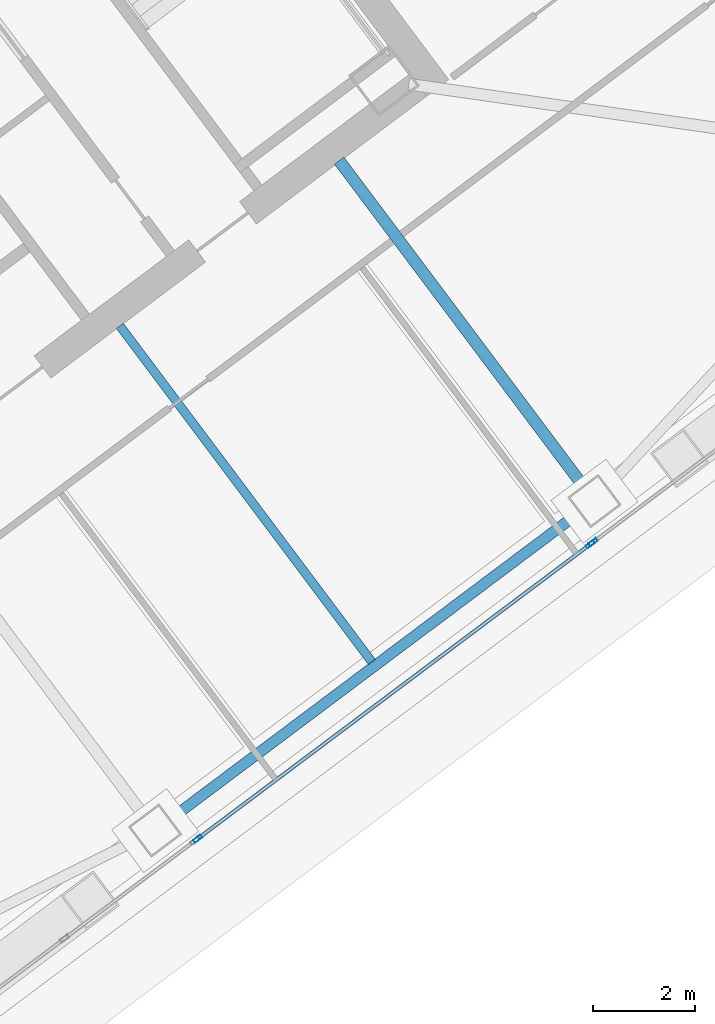
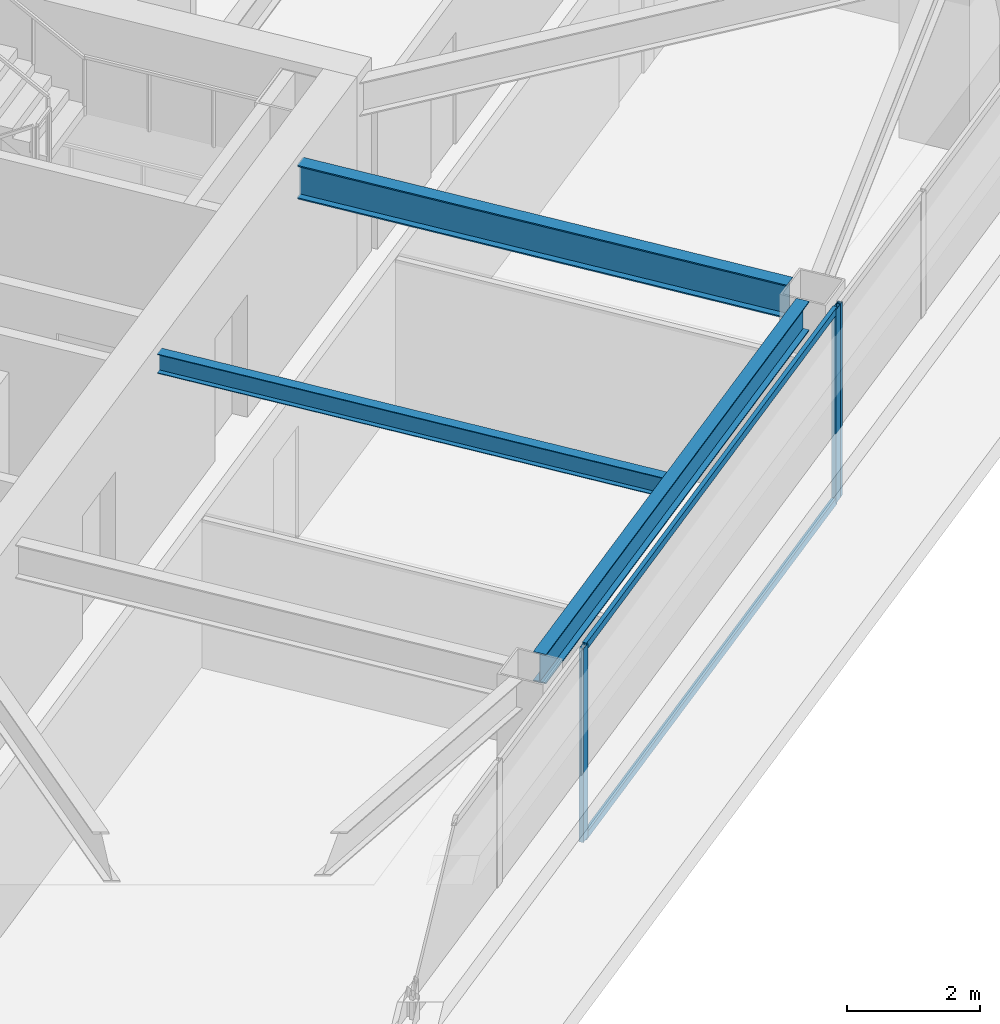
# One storey, part 39 of 65: 5 members, 3 beams, 2 elements without a shape of their own.
"""IFC4 building model written with IfcOpenShell, lengths in metres."""

from ifc_helpers import new_model, si_unit, direction, frame, origin, origin_2d, place, context, subcontext, project, spatial, hollow_rectangle, i_section, extrude, material, material_profile, profile_set, type_object, element, aggregate, save


model = new_model("IFC4")

# Units and contexts
model_context = context("Model", 3, precision=1e-05, world=origin(), true_north=direction((0.0, 1.0)))
body_context = subcontext(model_context, "Body", "Model", "MODEL_VIEW")
ifc_project = project(units=[si_unit("LENGTHUNIT", "METRE"), si_unit("AREAUNIT", "SQUARE_METRE"), si_unit("VOLUMEUNIT", "CUBIC_METRE"), si_unit("PLANEANGLEUNIT", "RADIAN"), si_unit("MASSUNIT", "GRAM", prefix="KILO")], contexts=[model_context])

# Site, building, storey
site_placement = place(None, origin())
site = spatial("IfcSite", under=ifc_project, at=site_placement, CompositionType="ELEMENT")
building_placement = place(site_placement, origin())
building = spatial("IfcBuilding", under=site, at=building_placement, Name="Tashvorn Skyway Center", CompositionType="ELEMENT")
storey_placement = place(building_placement, frame((0.0, 0.0, 157.0)))
storey = spatial("IfcBuildingStorey", under=building, at=storey_placement, Name="L42", CompositionType="ELEMENT", Elevation=157.0)

# Beams
ifc_material_1 = material(Name="Steel ASTM A992 Grade 50", Category="steel")
ifc_material_profile_1 = material_profile(ifc_material_1, i_section(OverallWidth=0.22998046875, OverallDepth=0.616943359375, WebThickness=0.01318359375, FlangeThickness=0.022216796875, at=origin_2d()), Name="W24X94")
ifc_profile_set_1 = profile_set([ifc_material_profile_1], Name="Steel ASTM A992 Grade 50")
beam_type_1 = type_object("IfcBeamType", Name="BM-BEAM-W24X94", PredefinedType="BEAM", material=ifc_profile_set_1)
beam_1_placement = place(storey_placement, frame((127.7880859375, 22.615966796875, 3.0615234375), z_axis=(-0.599995117266, 0.800003662027, 0.0), x_axis=(-0.800003662027, -0.599995117266, 0.0)))
element("IfcBeam", 1, at=beam_1_placement, inside=storey, type_object=beam_type_1, Name="Tower 2 L42 Primary Floor Girder FC-S2", PredefinedType="BEAM", context=body_context, shape_type="SweptSolid", body=[
    extrude(i_section(OverallWidth=0.22998046875, OverallDepth=0.616943359375, WebThickness=0.01318359375, FlangeThickness=0.022216796875, at=origin_2d()), origin(), (0.0, 0.0, 1.0), 8.000244140625),
])
ifc_material_profile_2 = material_profile(ifc_material_1, i_section(OverallWidth=0.1708984375, OverallDepth=0.35498046875, WebThickness=0.007080078125, FlangeThickness=0.01171875, at=origin_2d()), Name="W14X34")
ifc_profile_set_2 = profile_set([ifc_material_profile_2], Name="Steel ASTM A992 Grade 50")
beam_type_2 = type_object("IfcBeamType", Name="BM-JOIST-W14X34", PredefinedType="JOIST", material=ifc_profile_set_2)
beam_2_placement = place(storey_placement, frame((118.674072265625, 25.76806640625, 3.1923828125), z_axis=(0.59999527236, -0.800003545708, 0.0), x_axis=(0.800003545708, 0.59999527236, 0.0)))
element("IfcBeam", 2, at=beam_2_placement, inside=storey, type_object=beam_type_2, Name="Tower 2 L42 Secondary Composite Joist JS", PredefinedType="JOIST", context=body_context, shape_type="SweptSolid", body=[
    extrude(i_section(OverallWidth=0.1708984375, OverallDepth=0.35498046875, WebThickness=0.007080078125, FlangeThickness=0.01171875, at=origin_2d()), origin(), (0.0, 0.0, 1.0), 8.2626953125),
])
ifc_material_profile_3 = material_profile(ifc_material_1, i_section(OverallWidth=0.2109375, OverallDepth=0.5390625, WebThickness=0.01171875, FlangeThickness=0.018798828125, at=origin_2d()), Name="W21X73")
ifc_profile_set_3 = profile_set([ifc_material_profile_3], Name="Steel ASTM A992 Grade 50")
beam_type_3 = type_object("IfcBeamType", Name="BM-SPANDREL-W21X73", PredefinedType="SPANDREL", material=ifc_profile_set_3)
beam_3_placement = place(storey_placement, frame((119.666015625, 16.06201171875, 3.1005859375), z_axis=(0.800008736549, 0.599988351091, 0.0), x_axis=(-0.599988351091, 0.800008736549, 0.0)))
element("IfcBeam", 3, at=beam_3_placement, inside=storey, type_object=beam_type_3, Name="Tower 2 L42 Spandrel Beam 02", PredefinedType="SPANDREL", context=body_context, shape_type="SweptSolid", body=[
    extrude(i_section(OverallWidth=0.2109375, OverallDepth=0.5390625, WebThickness=0.01171875, FlangeThickness=0.018798828125, at=origin_2d()), origin(), (0.0, 0.0, 1.0), 10.06005859375),
])

# Curtain wall, member
ifc_material_2 = material(Name="Thermally broken bronze-anodized aluminium 6063-T6", Category="aluminium")
curtain_wall_type = type_object("IfcCurtainWallType", Name="CW-CW-Z4", PredefinedType="NOTDEFINED", material=ifc_material_2)
curtain_wall_1_placement = place(storey_placement, origin())
curtain_wall_1 = element("IfcCurtainWall", 4, at=curtain_wall_1_placement, inside=storey, type_object=curtain_wall_type, Name="Tower 2 L42 South Unitised Curtain Wall Glazing Group 1", PredefinedType="NOTDEFINED")
ifc_material_profile_4 = material_profile(ifc_material_2, hollow_rectangle(XDim=0.070068359375, YDim=0.179931640625, WallThickness=0.00390625, at=origin_2d()), Name="ALU-MULL-70x180")
ifc_profile_set_4 = profile_set([ifc_material_profile_4], Name="Thermally broken bronze-anodized aluminium 6063-T6")
member_type_1 = type_object("IfcMemberType", Name="CWM-CW-Z4", PredefinedType="MULLION", material=ifc_profile_set_4)
member_1_placement = place(storey_placement, frame((127.98388671875, 21.512939453125, 0.0), z_axis=(0.0, 0.0, 1.0), x_axis=(0.600000000002, -0.799999999998, 0.0)))
member_1 = element("IfcMember", 5, at=member_1_placement, type_object=member_type_1, Name="CW-Z4 mullion 3", PredefinedType="MULLION", context=body_context, shape_type="SweptSolid", body=[
    extrude(hollow_rectangle(XDim=0.070068359375, YDim=0.179931640625, WallThickness=0.00390625, at=origin_2d()), origin(), (0.0, 0.0, 1.0), 3.550048828125),
])
aggregate(curtain_wall_1, [member_1])

# Curtain wall, members
curtain_wall_2_placement = place(storey_placement, origin())
curtain_wall_2 = element("IfcCurtainWall", 6, at=curtain_wall_2_placement, inside=storey, type_object=curtain_wall_type, Name="Tower 2 L42 South Unitised Curtain Wall Glazing Group 2", PredefinedType="NOTDEFINED")
member_2_placement = place(storey_placement, frame((127.927978515625, 21.470947265625, 0.0), z_axis=(0.0, 0.0, 1.0), x_axis=(0.600000000002, -0.799999999998, 0.0)))
member_2 = element("IfcMember", 7, at=member_2_placement, type_object=member_type_1, Name="CW-Z4 mullion 1", PredefinedType="MULLION", context=body_context, shape_type="SweptSolid", body=[
    extrude(hollow_rectangle(XDim=0.070068359375, YDim=0.179931640625, WallThickness=0.00390625, at=origin_2d()), origin(), (0.0, 0.0, 1.0), 3.550048828125),
])
member_3_placement = place(storey_placement, frame((120.2080078125, 15.680908203125, 0.0), z_axis=(0.0, 0.0, 1.0), x_axis=(0.600000000002, -0.799999999998, 0.0)))
member_3 = element("IfcMember", 8, at=member_3_placement, type_object=member_type_1, Name="CW-Z4 mullion 2", PredefinedType="MULLION", context=body_context, shape_type="SweptSolid", body=[
    extrude(hollow_rectangle(XDim=0.070068359375, YDim=0.179931640625, WallThickness=0.00390625, at=origin_2d()), origin(), (0.0, 0.0, 1.0), 3.550048828125),
])
ifc_material_profile_5 = material_profile(ifc_material_2, hollow_rectangle(XDim=0.070068359375, YDim=0.1298828125, WallThickness=0.00390625, at=origin_2d()), Name="ALU-TRAN-70x130")
ifc_profile_set_5 = profile_set([ifc_material_profile_5], Name="Thermally broken bronze-anodized aluminium 6063-T6")
member_type_2 = type_object("IfcMemberType", Name="CWT-CW-Z4", PredefinedType="USERDEFINED", material=ifc_profile_set_5)
member_4_placement = place(storey_placement, frame((127.89990234375, 21.449951171875, 0.034912109375), z_axis=(-0.799990825408, -0.600012232595, 0.0), x_axis=(0.600012232595, -0.799990825408, 0.0)))
member_4 = element("IfcMember", 9, at=member_4_placement, type_object=member_type_2, Name="CW-Z4 transom 1.1", ObjectType="TRANSOM", PredefinedType="USERDEFINED", context=body_context, shape_type="SweptSolid", body=[
    extrude(hollow_rectangle(XDim=0.070068359375, YDim=0.1298828125, WallThickness=0.00390625, at=origin_2d()), origin(), (0.0, 0.0, 1.0), 9.579833984375),
])
member_5_placement = place(storey_placement, frame((127.89990234375, 21.449951171875, 3.514892578125), z_axis=(-0.799990825408, -0.600012232595, 0.0), x_axis=(0.600012232595, -0.799990825408, 0.0)))
member_5 = element("IfcMember", 10, at=member_5_placement, type_object=member_type_2, Name="CW-Z4 transom 1.2", ObjectType="TRANSOM", PredefinedType="USERDEFINED", context=body_context, shape_type="SweptSolid", body=[
    extrude(hollow_rectangle(XDim=0.070068359375, YDim=0.1298828125, WallThickness=0.00390625, at=origin_2d()), origin(), (0.0, 0.0, 1.0), 9.579833984375),
])
aggregate(curtain_wall_2, [member_2, member_3, member_4, member_5])

save(model, "model.ifc")
